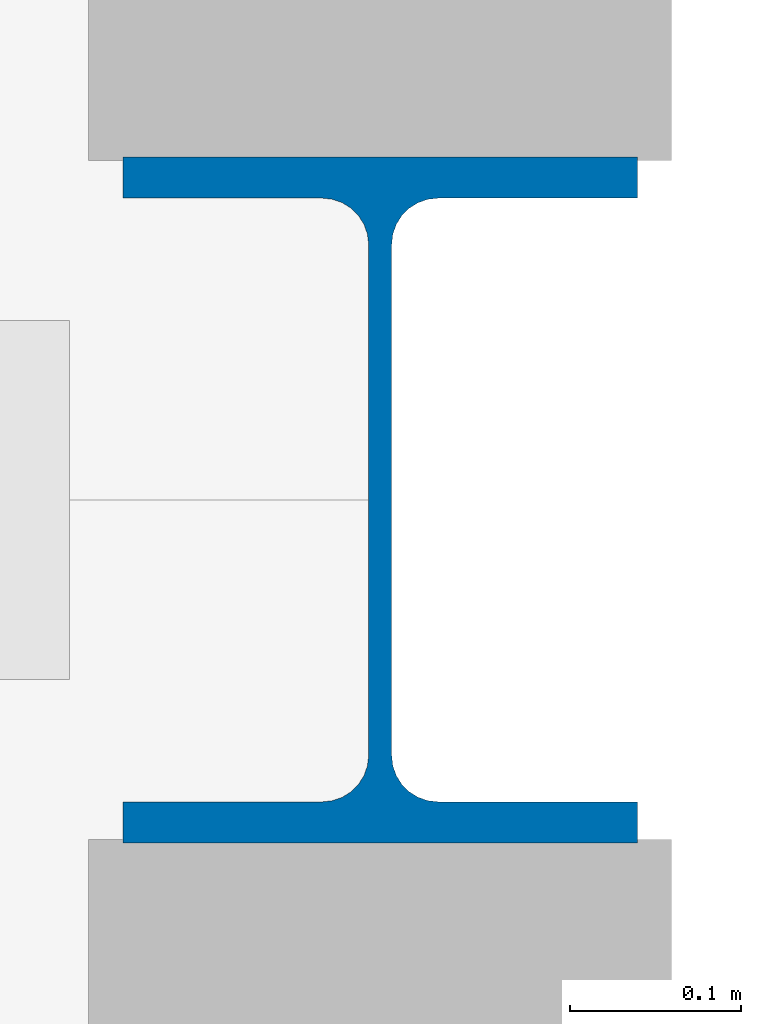
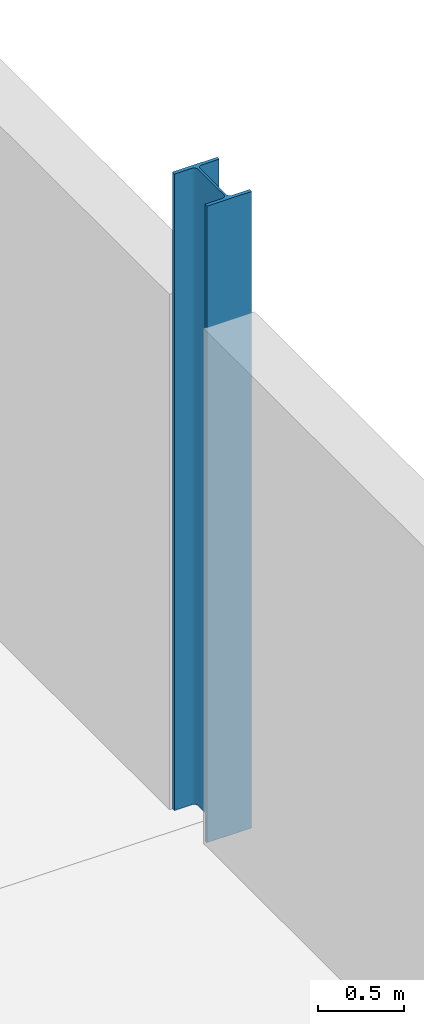
# One storey, part 11 of 73: 1 column.
"""IFC4 building model written with IfcOpenShell, lengths in metres."""

from ifc_helpers import new_model, si_unit, direction, frame, origin, origin_2d, place, context, subcontext, project, spatial, i_section, extrude, material, material_profile, profile_set, type_object, element, save


model = new_model("IFC4")

# Units and contexts
model_context = context("Model", 3, precision=1e-05, world=origin(), true_north=direction((0.0, 1.0)))
body_context = subcontext(model_context, "Body", "Model", "MODEL_VIEW")
ifc_project = project(units=[si_unit("LENGTHUNIT", "METRE"), si_unit("AREAUNIT", "SQUARE_METRE"), si_unit("VOLUMEUNIT", "CUBIC_METRE"), si_unit("PLANEANGLEUNIT", "RADIAN"), si_unit("MASSUNIT", "GRAM", prefix="KILO")], contexts=[model_context])

# Site, building, storey
site_placement = place(None, origin())
site = spatial("IfcSite", under=ifc_project, at=site_placement, CompositionType="ELEMENT")
building_placement = place(site_placement, origin())
building = spatial("IfcBuilding", under=site, at=building_placement, Name="Kisiwana Market Hall", CompositionType="ELEMENT")
storey_placement = place(building_placement, frame((0.0, 0.0, 33.300048828125)))
storey = spatial("IfcBuildingStorey", under=building, at=storey_placement, Name="L07", CompositionType="ELEMENT", Elevation=33.300048828125)

# Column
ifc_material = material(Name="Steel S355", Category="steel")
ifc_material_profile = material_profile(ifc_material, i_section(OverallWidth=0.300048828125, OverallDepth=0.39990234375, WebThickness=0.013427734375, FlangeThickness=0.02392578125, FilletRadius=0.027099609375, at=origin_2d()), Name="HEB 400")
ifc_profile_set = profile_set([ifc_material_profile], Name="Steel S355")
column_type = type_object("IfcColumnType", Name="COL-STL-HEB400", PredefinedType="COLUMN", material=ifc_profile_set)
column_placement = place(storey_placement, frame((198.0, 60.0, 0.0), z_axis=(0.0, 0.0, 1.0), x_axis=(1.0, 0.0, 0.0)))
element("IfcColumn", 1, at=column_placement, inside=storey, type_object=column_type, Name="Column H/23 (L07) C-1146", PredefinedType="COLUMN", context=body_context, shape_type="SweptSolid", body=[
    extrude(i_section(OverallWidth=0.300048828125, OverallDepth=0.39990234375, WebThickness=0.013427734375, FlangeThickness=0.02392578125, FilletRadius=0.027099609375, at=origin_2d()), origin(), (0.0, 0.0, 1.0), 4.5),
])

save(model, "model.ifc")
